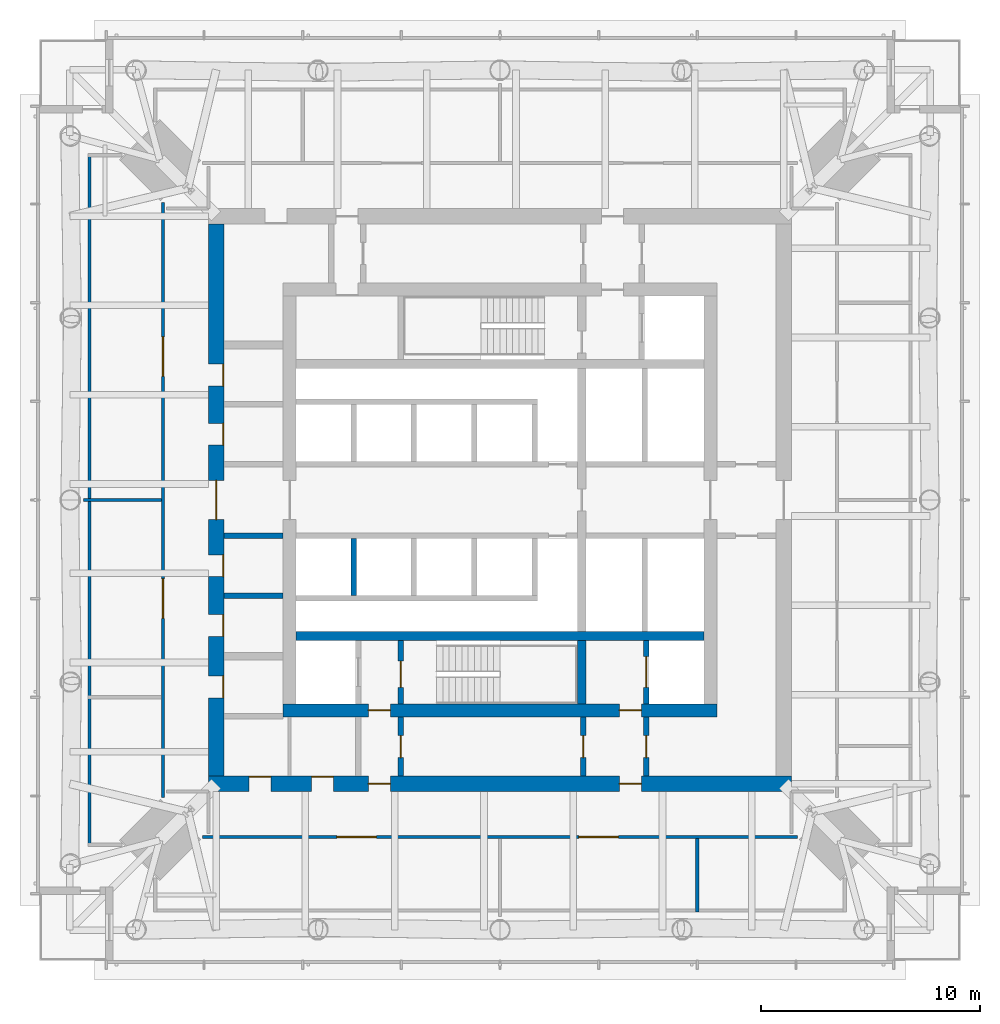
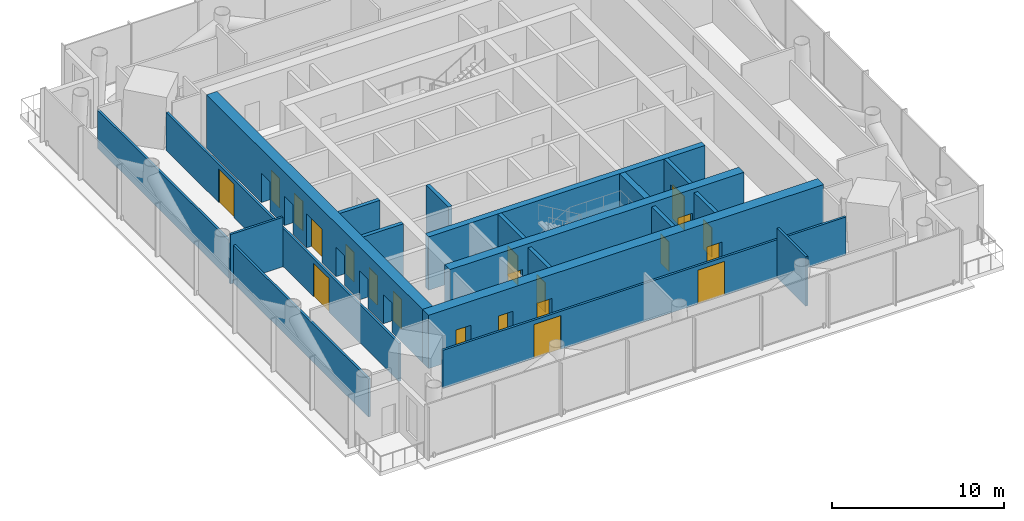
# One storey, part 5 of 13: 21 doors, 18 walls, 21 openings.
"""IFC4 building model written with IfcOpenShell, lengths in metres."""

from ifc_helpers import new_model, si_unit, direction, frame, frame_2d, origin, place, context, subcontext, project, spatial, rectangle, extrude, material, layer, layer_set, type_object, element, fill, save


model = new_model("IFC4")

# Units and contexts
model_context = context("Model", 3, precision=1e-05, world=origin(), true_north=direction((0.0, 1.0)))
body_context = subcontext(model_context, "Body", "Model", "MODEL_VIEW")
ifc_project = project(units=[si_unit("LENGTHUNIT", "METRE"), si_unit("AREAUNIT", "SQUARE_METRE"), si_unit("VOLUMEUNIT", "CUBIC_METRE"), si_unit("PLANEANGLEUNIT", "RADIAN"), si_unit("MASSUNIT", "GRAM", prefix="KILO")], contexts=[model_context])

# Site, building, storey
site_placement = place(None, origin())
site = spatial("IfcSite", under=ifc_project, at=site_placement, CompositionType="ELEMENT")
building_placement = place(site_placement, origin())
building = spatial("IfcBuilding", under=site, at=building_placement, Name="Ostroluk Exchange", CompositionType="ELEMENT")
storey_placement = place(building_placement, frame((0.0, 0.0, 157.800048828125)))
storey = spatial("IfcBuildingStorey", under=building, at=storey_placement, Name="L40", CompositionType="ELEMENT", Elevation=157.800048828125)

# Wall
ifc_material_1 = material(Name="Concrete blockwork", Category="masonry")
ifc_layer_1 = layer(ifc_material_1, 0.14990234375)
ifc_layer_set_1 = layer_set([ifc_layer_1], Name="Blockwork plant room wall 150")
wall_type_1 = type_object("IfcWallType", Name="Blockwork plant room wall 150", PredefinedType="SOLIDWALL", material=ifc_layer_set_1)
wall_1_placement = place(storey_placement, frame((29.550048828125, 46.0, 0.0), z_axis=(0.0, 0.0, 1.0), x_axis=(-1.0, 0.0, 0.0)))
element("IfcWall", 1, at=wall_1_placement, inside=storey, type_object=wall_type_1, Name="Plant room wall", PredefinedType="SOLIDWALL", context=body_context, shape_type="SweptSolid", body=[
    extrude(rectangle(XDim=3.56005859375, YDim=0.14990234375, at=frame_2d((1.780029296875, 0.0))), origin(), (0.0, 0.0, 1.0), 3.52001953125),
])

# Wall, openings, doors
wall_2_placement = place(storey_placement, frame((29.625, 59.568603515625, 0.0), z_axis=(0.0, 0.0, 1.0), x_axis=(0.0, -1.0, 0.0)))
wall_2 = element("IfcWall", 2, at=wall_2_placement, inside=storey, type_object=wall_type_1, Name="Plant room wall", PredefinedType="SOLIDWALL", context=body_context, shape_type="SweptSolid", body=[
    extrude(rectangle(XDim=27.13720703125, YDim=0.14990234375, at=frame_2d((13.568603515625, 0.0))), origin(), (0.0, 0.0, 1.0), 2.7060546875),
])
opening_1_placement = place(wall_2_placement, frame((6.131103515625, 0.0, 0.0)))
opening_1 = element("IfcOpeningElement", 3, at=opening_1_placement, cuts=wall_2, Name="Opening D-05", PredefinedType="OPENING", context=body_context, shape_type="SweptSolid", body=[
    extrude(rectangle(XDim=1.800048828125, YDim=2.39990234375, at=frame_2d((0.89990234375, 1.199951171875))), frame((0.0, 0.0849609375, 0.0), z_axis=(0.0, -1.0, 0.0), x_axis=(1.0, 0.0, 0.0)), (0.0, 0.0, 1.0), 0.169921875),
])
opening_2_placement = place(wall_2_placement, frame((17.168701171875, 0.0, 0.0)))
opening_2 = element("IfcOpeningElement", 4, at=opening_2_placement, cuts=wall_2, Name="Opening D-05", PredefinedType="OPENING", context=body_context, shape_type="SweptSolid", body=[
    extrude(rectangle(XDim=1.800048828125, YDim=2.39990234375, at=frame_2d((0.89990234375, 1.199951171875))), frame((0.0, 0.0849609375, 0.0), z_axis=(0.0, -1.0, 0.0), x_axis=(1.0, 0.0, 0.0)), (0.0, 0.0, 1.0), 0.169921875),
])
ifc_material_2 = material(Name="Steel", Category="steel")
door_type_1 = type_object("IfcDoorType", Name="Plant room double door EI 60 1800 x 2400", OperationType="DOUBLE_DOOR_SINGLE_SWING", PredefinedType="DOOR", material=ifc_material_2)
door_1_placement = place(opening_1_placement, origin())
door_1 = element("IfcDoor", 5, at=door_1_placement, inside=storey, type_object=door_type_1, Name="Electrical switch room door", OperationType="DOUBLE_DOOR_SINGLE_SWING", OverallHeight=2.39990234375, OverallWidth=1.800048828125, PredefinedType="DOOR", context=body_context, shape_type="SweptSolid", body=[
    extrude(rectangle(XDim=1.800048828125, YDim=2.39990234375, at=frame_2d((0.89990234375, 1.199951171875))), frame((0.0, 0.02490234375, 0.0), z_axis=(0.0, -1.0, 0.0), x_axis=(1.0, 0.0, 0.0)), (0.0, 0.0, 1.0), 0.050048828125),
])
fill(opening_1, door_1)
door_2_placement = place(opening_2_placement, origin())
door_2 = element("IfcDoor", 6, at=door_2_placement, inside=storey, type_object=door_type_1, Name="Transformer room door", OperationType="DOUBLE_DOOR_SINGLE_SWING", OverallHeight=2.39990234375, OverallWidth=1.800048828125, PredefinedType="DOOR", context=body_context, shape_type="SweptSolid", body=[
    extrude(rectangle(XDim=1.800048828125, YDim=2.39990234375, at=frame_2d((0.89990234375, 1.199951171875))), frame((0.0, 0.02490234375, 0.0), z_axis=(0.0, -1.0, 0.0), x_axis=(1.0, 0.0, 0.0)), (0.0, 0.0, 1.0), 0.050048828125),
])
fill(opening_2, door_2)

wall_3_placement = place(storey_placement, frame((31.431396484375, 30.625, 0.0), z_axis=(0.0, 0.0, 1.0), x_axis=(1.0, 0.0, 0.0)))
wall_3 = element("IfcWall", 7, at=wall_3_placement, inside=storey, type_object=wall_type_1, Name="Plant room wall", PredefinedType="SOLIDWALL", context=body_context, shape_type="SweptSolid", body=[
    extrude(rectangle(XDim=27.13720703125, YDim=0.14990234375, at=frame_2d((13.568603515625, 0.0))), origin(), (0.0, 0.0, 1.0), 2.7060546875),
])
opening_3_placement = place(wall_3_placement, frame((6.131103515625, 0.0, 0.0)))
opening_3 = element("IfcOpeningElement", 8, at=opening_3_placement, cuts=wall_3, Name="Opening D-05", PredefinedType="OPENING", context=body_context, shape_type="SweptSolid", body=[
    extrude(rectangle(XDim=1.800048828125, YDim=2.39990234375, at=frame_2d((0.89990234375, 1.199951171875))), frame((0.0, 0.0849609375, 0.0), z_axis=(0.0, -1.0, 0.0), x_axis=(1.0, 0.0, 0.0)), (0.0, 0.0, 1.0), 0.169921875),
])
opening_4_placement = place(wall_3_placement, frame((17.168701171875, 0.0, 0.0)))
opening_4 = element("IfcOpeningElement", 9, at=opening_4_placement, cuts=wall_3, Name="Opening D-05", PredefinedType="OPENING", context=body_context, shape_type="SweptSolid", body=[
    extrude(rectangle(XDim=1.800048828125, YDim=2.39990234375, at=frame_2d((0.89990234375, 1.199951171875))), frame((0.0, 0.0849609375, 0.0), z_axis=(0.0, -1.0, 0.0), x_axis=(1.0, 0.0, 0.0)), (0.0, 0.0, 1.0), 0.169921875),
])
door_3_placement = place(opening_3_placement, origin())
door_3 = element("IfcDoor", 10, at=door_3_placement, inside=storey, type_object=door_type_1, Name="Sprinkler pump room door", OperationType="DOUBLE_DOOR_SINGLE_SWING", OverallHeight=2.39990234375, OverallWidth=1.800048828125, PredefinedType="DOOR", context=body_context, shape_type="SweptSolid", body=[
    extrude(rectangle(XDim=1.800048828125, YDim=2.39990234375, at=frame_2d((0.89990234375, 1.199951171875))), frame((0.0, 0.02490234375, 0.0), z_axis=(0.0, -1.0, 0.0), x_axis=(1.0, 0.0, 0.0)), (0.0, 0.0, 1.0), 0.050048828125),
])
fill(opening_3, door_3)
door_4_placement = place(opening_4_placement, origin())
door_4 = element("IfcDoor", 11, at=door_4_placement, inside=storey, type_object=door_type_1, Name="Chiller plant room door", OperationType="DOUBLE_DOOR_SINGLE_SWING", OverallHeight=2.39990234375, OverallWidth=1.800048828125, PredefinedType="DOOR", context=body_context, shape_type="SweptSolid", body=[
    extrude(rectangle(XDim=1.800048828125, YDim=2.39990234375, at=frame_2d((0.89990234375, 1.199951171875))), frame((0.0, 0.02490234375, 0.0), z_axis=(0.0, -1.0, 0.0), x_axis=(1.0, 0.0, 0.0)), (0.0, 0.0, 1.0), 0.050048828125),
])
fill(opening_4, door_4)

# Wall
wall_4_placement = place(storey_placement, frame((54.0, 30.550048828125, 0.0), z_axis=(0.0, 0.0, 1.0), x_axis=(0.0, -1.0, 0.0)))
element("IfcWall", 12, at=wall_4_placement, inside=storey, type_object=wall_type_1, Name="Plant room wall", PredefinedType="SOLIDWALL", context=body_context, shape_type="SweptSolid", body=[
    extrude(rectangle(XDim=3.35009765625, YDim=0.14990234375, at=frame_2d((1.675048828125, 0.0))), origin(), (0.0, 0.0, 1.0), 3.52001953125),
])

# Wall, opening, door
ifc_material_3 = material(Name="Concrete blockwork", Category="masonry")
ifc_layer_2 = layer(ifc_material_3, 0.25)
ifc_layer_set_2 = layer_set([ifc_layer_2], Name="Blockwork stair enclosure wall 250")
wall_type_2 = type_object("IfcWallType", Name="Blockwork stair enclosure wall 250", PredefinedType="SOLIDWALL", material=ifc_layer_set_2)
wall_5_placement = place(storey_placement, frame((40.47509765625, 33.39990234375, 0.0), z_axis=(0.0, 0.0, 1.0), x_axis=(0.0, 1.0, 0.0)))
wall_5 = element("IfcWall", 13, at=wall_5_placement, inside=storey, type_object=wall_type_2, Name="Fire lobby enclosure wall", PredefinedType="SOLIDWALL", context=body_context, shape_type="SweptSolid", body=[
    extrude(rectangle(XDim=2.7001953125, YDim=0.25, at=frame_2d((1.35009765625, 0.0))), origin(), (0.0, 0.0, 1.0), 3.52001953125),
])
opening_5_placement = place(wall_5_placement, frame((0.85009765625, 0.0, 0.0)))
opening_5 = element("IfcOpeningElement", 14, at=opening_5_placement, cuts=wall_5, Name="Opening FD60", PredefinedType="OPENING", context=body_context, shape_type="SweptSolid", body=[
    extrude(rectangle(XDim=1.0, YDim=2.10009765625, at=frame_2d((0.5, 1.050048828125))), frame((0.0, 0.135009765625, 0.0), z_axis=(0.0, -1.0, 0.0), x_axis=(1.0, 0.0, 0.0)), (0.0, 0.0, 1.0), 0.27001953125),
])
ifc_material_4 = material(Name="Steel", Category="steel")
door_type_2 = type_object("IfcDoorType", Name="Fire door EI 60 1000 x 2100", OperationType="SINGLE_SWING_LEFT", PredefinedType="DOOR", material=ifc_material_4)
door_5_placement = place(opening_5_placement, origin())
door_5 = element("IfcDoor", 15, at=door_5_placement, inside=storey, type_object=door_type_2, Name="Core link door", OperationType="SINGLE_SWING_LEFT", OverallHeight=2.10009765625, OverallWidth=1.0, PredefinedType="DOOR", context=body_context, shape_type="SweptSolid", body=[
    extrude(rectangle(XDim=1.0, YDim=2.10009765625, at=frame_2d((0.5, 1.050048828125))), frame((0.0, 0.02490234375, 0.0), z_axis=(0.0, -1.0, 0.0), x_axis=(1.0, 0.0, 0.0)), (0.0, 0.0, 1.0), 0.050048828125),
])
fill(opening_5, door_5)

wall_6_placement = place(storey_placement, frame((48.804931640625, 33.39990234375, 0.0), z_axis=(0.0, 0.0, 1.0), x_axis=(0.0, 1.0, 0.0)))
wall_6 = element("IfcWall", 16, at=wall_6_placement, inside=storey, type_object=wall_type_2, Name="Service lobby enclosure wall", PredefinedType="SOLIDWALL", context=body_context, shape_type="SweptSolid", body=[
    extrude(rectangle(XDim=2.7001953125, YDim=0.25, at=frame_2d((1.35009765625, 0.0))), origin(), (0.0, 0.0, 1.0), 3.52001953125),
])
opening_6_placement = place(wall_6_placement, frame((0.85009765625, 0.0, 0.0)))
opening_6 = element("IfcOpeningElement", 17, at=opening_6_placement, cuts=wall_6, Name="Opening FD60", PredefinedType="OPENING", context=body_context, shape_type="SweptSolid", body=[
    extrude(rectangle(XDim=1.0, YDim=2.10009765625, at=frame_2d((0.5, 1.050048828125))), frame((0.0, 0.135009765625, 0.0), z_axis=(0.0, -1.0, 0.0), x_axis=(1.0, 0.0, 0.0)), (0.0, 0.0, 1.0), 0.27001953125),
])
door_6_placement = place(opening_6_placement, origin())
door_6 = element("IfcDoor", 18, at=door_6_placement, inside=storey, type_object=door_type_2, Name="Core link door", OperationType="SINGLE_SWING_LEFT", OverallHeight=2.10009765625, OverallWidth=1.0, PredefinedType="DOOR", context=body_context, shape_type="SweptSolid", body=[
    extrude(rectangle(XDim=1.0, YDim=2.10009765625, at=frame_2d((0.5, 1.050048828125))), frame((0.0, 0.02490234375, 0.0), z_axis=(0.0, -1.0, 0.0), x_axis=(1.0, 0.0, 0.0)), (0.0, 0.0, 1.0), 0.050048828125),
])
fill(opening_6, door_6)

wall_7_placement = place(storey_placement, frame((51.675048828125, 33.39990234375, 0.0), z_axis=(0.0, 0.0, 1.0), x_axis=(0.0, 1.0, 0.0)))
wall_7 = element("IfcWall", 19, at=wall_7_placement, inside=storey, type_object=wall_type_2, Name="Service lobby enclosure wall", PredefinedType="SOLIDWALL", context=body_context, shape_type="SweptSolid", body=[
    extrude(rectangle(XDim=2.7001953125, YDim=0.25, at=frame_2d((1.35009765625, 0.0))), origin(), (0.0, 0.0, 1.0), 3.52001953125),
])
opening_7_placement = place(wall_7_placement, frame((0.85009765625, 0.0, 0.0)))
opening_7 = element("IfcOpeningElement", 20, at=opening_7_placement, cuts=wall_7, Name="Opening FD60", PredefinedType="OPENING", context=body_context, shape_type="SweptSolid", body=[
    extrude(rectangle(XDim=1.0, YDim=2.10009765625, at=frame_2d((0.5, 1.050048828125))), frame((0.0, 0.135009765625, 0.0), z_axis=(0.0, -1.0, 0.0), x_axis=(1.0, 0.0, 0.0)), (0.0, 0.0, 1.0), 0.27001953125),
])
door_7_placement = place(opening_7_placement, origin())
door_7 = element("IfcDoor", 21, at=door_7_placement, inside=storey, type_object=door_type_2, Name="Core link door", OperationType="SINGLE_SWING_LEFT", OverallHeight=2.10009765625, OverallWidth=1.0, PredefinedType="DOOR", context=body_context, shape_type="SweptSolid", body=[
    extrude(rectangle(XDim=1.0, YDim=2.10009765625, at=frame_2d((0.5, 1.050048828125))), frame((0.0, 0.02490234375, 0.0), z_axis=(0.0, -1.0, 0.0), x_axis=(1.0, 0.0, 0.0)), (0.0, 0.0, 1.0), 0.050048828125),
])
fill(opening_7, door_7)

# Walls
ifc_material_5 = material(Name="Concrete C50/60", Category="concrete")
ifc_layer_3 = layer(ifc_material_5, 0.39990234375)
ifc_layer_set_3 = layer_set([ifc_layer_3], Name="Core cross wall 400 C50/60")
wall_type_3 = type_object("IfcWallType", Name="Core cross wall 400 C50/60", PredefinedType="SHEAR", material=ifc_layer_set_3)
wall_8_placement = place(storey_placement, frame((35.699951171875, 39.800048828125, 0.0), z_axis=(0.0, 0.0, 1.0), x_axis=(1.0, 0.0, 0.0)))
element("IfcWall", 22, at=wall_8_placement, inside=storey, type_object=wall_type_3, Name="T1 core wall XS", PredefinedType="SHEAR", context=body_context, shape_type="SweptSolid", body=[
    extrude(rectangle(XDim=18.60009765625, YDim=0.39990234375, at=frame_2d((9.300048828125, 0.0))), origin(), (0.0, 0.0, 1.0), 3.800048828125),
])
wall_9_placement = place(storey_placement, frame((48.72998046875, 36.699951171875, 0.0), z_axis=(0.0, 0.0, 1.0), x_axis=(0.0, 1.0, 0.0)))
element("IfcWall", 23, at=wall_9_placement, inside=storey, type_object=wall_type_3, Name="T1 core wall YE1", PredefinedType="SHEAR", context=body_context, shape_type="SweptSolid", body=[
    extrude(rectangle(XDim=2.900146484375, YDim=0.39990234375, at=frame_2d((1.4501953125, 0.0))), origin(), (0.0, 0.0, 1.0), 3.800048828125),
])

# Wall, opening, door
ifc_material_6 = material(Name="Concrete C40/50", Category="concrete")
ifc_layer_4 = layer(ifc_material_6, 0.25)
ifc_layer_set_4 = layer_set([ifc_layer_4], Name="Core shaft wall 250")
wall_type_4 = type_object("IfcWallType", Name="Core shaft wall 250", PredefinedType="SHEAR", material=ifc_layer_set_4)
wall_10_placement = place(storey_placement, frame((40.47509765625, 36.699951171875, 0.0), z_axis=(0.0, 0.0, 1.0), x_axis=(0.0, 1.0, 0.0)))
wall_10 = element("IfcWall", 24, at=wall_10_placement, inside=storey, type_object=wall_type_4, Name="Stair shaft wall", PredefinedType="SHEAR", context=body_context, shape_type="SweptSolid", body=[
    extrude(rectangle(XDim=2.900146484375, YDim=0.25, at=frame_2d((1.4501953125, 0.0))), origin(), (0.0, 0.0, 1.0), 3.800048828125),
])
opening_8_placement = place(wall_10_placement, frame((0.75, 0.0, 0.0)))
opening_8 = element("IfcOpeningElement", 25, at=opening_8_placement, cuts=wall_10, Name="Opening FD60S", PredefinedType="OPENING", context=body_context, shape_type="SweptSolid", body=[
    extrude(rectangle(XDim=1.199951171875, YDim=2.10009765625, at=frame_2d((0.60009765625, 1.050048828125))), frame((0.0, 0.135009765625, 0.0), z_axis=(0.0, -1.0, 0.0), x_axis=(1.0, 0.0, 0.0)), (0.0, 0.0, 1.0), 0.27001953125),
])
ifc_material_7 = material(Name="Steel", Category="steel")
door_type_3 = type_object("IfcDoorType", Name="Stair door EI 60 1200 x 2100", OperationType="SINGLE_SWING_LEFT", PredefinedType="DOOR", material=ifc_material_7)
door_8_placement = place(opening_8_placement, origin())
door_8 = element("IfcDoor", 26, at=door_8_placement, inside=storey, type_object=door_type_3, Name="Stair T1-S1 door", OperationType="SINGLE_SWING_LEFT", OverallHeight=2.10009765625, OverallWidth=1.199951171875, PredefinedType="DOOR", context=body_context, shape_type="SweptSolid", body=[
    extrude(rectangle(XDim=1.199951171875, YDim=2.10009765625, at=frame_2d((0.60009765625, 1.050048828125))), frame((0.0, 0.02490234375, 0.0), z_axis=(0.0, -1.0, 0.0), x_axis=(1.0, 0.0, 0.0)), (0.0, 0.0, 1.0), 0.050048828125),
])
fill(opening_8, door_8)

wall_11_placement = place(storey_placement, frame((51.675048828125, 36.699951171875, 0.0), z_axis=(0.0, 0.0, 1.0), x_axis=(0.0, 1.0, 0.0)))
wall_11 = element("IfcWall", 27, at=wall_11_placement, inside=storey, type_object=wall_type_4, Name="Service lift shaft wall", PredefinedType="SHEAR", context=body_context, shape_type="SweptSolid", body=[
    extrude(rectangle(XDim=2.900146484375, YDim=0.25, at=frame_2d((1.4501953125, 0.0))), origin(), (0.0, 0.0, 1.0), 3.800048828125),
])
opening_9_placement = place(wall_11_placement, frame((0.75, 0.0, 0.0)))
opening_9 = element("IfcOpeningElement", 28, at=opening_9_placement, cuts=wall_11, Name="Opening LD3", PredefinedType="OPENING", context=body_context, shape_type="SweptSolid", body=[
    extrude(rectangle(XDim=1.39990234375, YDim=2.39990234375, at=frame_2d((0.699951171875, 1.199951171875))), frame((0.0, 0.135009765625, 0.0), z_axis=(0.0, -1.0, 0.0), x_axis=(1.0, 0.0, 0.0)), (0.0, 0.0, 1.0), 0.27001953125),
])
ifc_material_8 = material(Name="Stainless steel", Category="steel")
door_type_4 = type_object("IfcDoorType", Name="Goods lift landing door E 60 1400 x 2400", OperationType="DOUBLE_DOOR_SLIDING", PredefinedType="DOOR", material=ifc_material_8)
door_9_placement = place(opening_9_placement, origin())
door_9 = element("IfcDoor", 29, at=door_9_placement, inside=storey, type_object=door_type_4, Name="Lift SL1 landing door", OperationType="DOUBLE_DOOR_SLIDING", OverallHeight=2.39990234375, OverallWidth=1.39990234375, PredefinedType="DOOR", context=body_context, shape_type="SweptSolid", body=[
    extrude(rectangle(XDim=1.39990234375, YDim=2.39990234375, at=frame_2d((0.699951171875, 1.199951171875))), frame((0.0, 0.02490234375, 0.0), z_axis=(0.0, -1.0, 0.0), x_axis=(1.0, 0.0, 0.0)), (0.0, 0.0, 1.0), 0.050048828125),
])
fill(opening_9, door_9)

# Walls
wall_12_placement = place(storey_placement, frame((38.324951171875, 44.25, 0.0), z_axis=(0.0, 0.0, 1.0), x_axis=(0.0, -1.0, 0.0)))
element("IfcWall", 30, at=wall_12_placement, inside=storey, type_object=wall_type_4, Name="Lift shaft wall", PredefinedType="SHEAR", context=body_context, shape_type="SweptSolid", body=[
    extrude(rectangle(XDim=2.60009765625, YDim=0.25, at=frame_2d((1.300048828125, 0.0))), origin(), (0.0, 0.0, 1.0), 3.800048828125),
])
for number, where, z_axis, x_axis, name in (
    (31, (32.39990234375, 41.625, 0.0), (0.0, 0.0, 1.0), (1.0, 0.0, 0.0), "Lift shaft wall"),
    (32, (32.39990234375, 44.375, 0.0), (0.0, 0.0, 1.0), (1.0, 0.0, 0.0), "Lift shaft wall"),
):
    element("IfcWall", number, at=place(storey_placement, frame(where, z_axis=z_axis, x_axis=x_axis)), inside=storey, type_object=wall_type_4, Name=name, PredefinedType="SHEAR", context=body_context, shape_type="SweptSolid", body=[
        extrude(rectangle(XDim=2.7001953125, YDim=0.25, at=frame_2d((1.35009765625, 0.0))), origin(), (0.0, 0.0, 1.0), 3.800048828125),
    ])

# Wall, openings, doors
ifc_material_9 = material(Name="Concrete C50/60", Category="concrete")
ifc_layer_5 = layer(ifc_material_9, 0.60009765625)
ifc_layer_set_5 = layer_set([ifc_layer_5], Name="Core wall 600 C50/60")
wall_type_5 = type_object("IfcWallType", Name="Core wall 600 C50/60", PredefinedType="SHEAR", material=ifc_layer_set_5)
wall_13_placement = place(storey_placement, frame((35.10009765625, 36.39990234375, 0.0), z_axis=(0.0, 0.0, 1.0), x_axis=(1.0, 0.0, 0.0)))
wall_13 = element("IfcWall", 33, at=wall_13_placement, inside=storey, type_object=wall_type_5, Name="T1 core wall S", PredefinedType="SHEAR", context=body_context, shape_type="SweptSolid", body=[
    extrude(rectangle(XDim=19.7998046875, YDim=0.60009765625, at=frame_2d((9.89990234375, 0.0))), origin(), (0.0, 0.0, 1.0), 3.800048828125),
])
opening_10_placement = place(wall_13_placement, frame((3.89990234375, 0.0, 0.0)))
opening_10 = element("IfcOpeningElement", 34, at=opening_10_placement, cuts=wall_13, Name="Opening FD60", PredefinedType="OPENING", context=body_context, shape_type="SweptSolid", body=[
    extrude(rectangle(XDim=1.0, YDim=2.10009765625, at=frame_2d((0.5, 1.050048828125))), frame((0.0, 0.31005859375, 0.0), z_axis=(0.0, -1.0, 0.0), x_axis=(1.0, 0.0, 0.0)), (0.0, 0.0, 1.0), 0.6201171875),
])
opening_11_placement = place(wall_13_placement, frame((15.35009765625, 0.0, 0.0)))
opening_11 = element("IfcOpeningElement", 35, at=opening_11_placement, cuts=wall_13, Name="Opening FD60", PredefinedType="OPENING", context=body_context, shape_type="SweptSolid", body=[
    extrude(rectangle(XDim=1.0, YDim=2.10009765625, at=frame_2d((0.5, 1.050048828125))), frame((0.0, 0.31005859375, 0.0), z_axis=(0.0, -1.0, 0.0), x_axis=(1.0, 0.0, 0.0)), (0.0, 0.0, 1.0), 0.6201171875),
])
door_10_placement = place(opening_10_placement, origin())
door_10 = element("IfcDoor", 36, at=door_10_placement, inside=storey, type_object=door_type_2, Name="Firefighting lobby door", OperationType="SINGLE_SWING_LEFT", OverallHeight=2.10009765625, OverallWidth=1.0, PredefinedType="DOOR", context=body_context, shape_type="SweptSolid", body=[
    extrude(rectangle(XDim=1.0, YDim=2.10009765625, at=frame_2d((0.5, 1.050048828125))), frame((0.0, 0.02490234375, 0.0), z_axis=(0.0, -1.0, 0.0), x_axis=(1.0, 0.0, 0.0)), (0.0, 0.0, 1.0), 0.050048828125),
])
fill(opening_10, door_10)
door_11_placement = place(opening_11_placement, origin())
door_11 = element("IfcDoor", 37, at=door_11_placement, inside=storey, type_object=door_type_2, Name="Service lobby door", OperationType="SINGLE_SWING_RIGHT", OverallHeight=2.10009765625, OverallWidth=1.0, PredefinedType="DOOR", context=body_context, shape_type="SweptSolid", body=[
    extrude(rectangle(XDim=1.0, YDim=2.10009765625, at=frame_2d((0.5, 1.050048828125))), frame((0.0, 0.02490234375, 0.0), z_axis=(0.0, -1.0, 0.0), x_axis=(1.0, 0.0, 0.0)), (0.0, 0.0, 1.0), 0.050048828125),
])
fill(opening_11, door_11)

ifc_material_10 = material(Name="Concrete C50/60", Category="concrete")
ifc_layer_6 = layer(ifc_material_10, 0.699951171875)
ifc_layer_set_6 = layer_set([ifc_layer_6], Name="Core wall 700 C50/60")
wall_type_6 = type_object("IfcWallType", Name="Core wall 700 C50/60", PredefinedType="SHEAR", material=ifc_layer_set_6)
wall_14_placement = place(storey_placement, frame((31.699951171875, 33.050048828125, 0.0), z_axis=(0.0, 0.0, 1.0), x_axis=(1.0, 0.0, 0.0)))
wall_14 = element("IfcWall", 38, at=wall_14_placement, inside=storey, type_object=wall_type_6, Name="T1 core wall RS", PredefinedType="SHEAR", context=body_context, shape_type="SweptSolid", body=[
    extrude(rectangle(XDim=26.60009765625, YDim=0.699951171875, at=frame_2d((13.300048828125, 0.0))), origin(), (0.0, 0.0, 1.0), 3.800048828125),
])
opening_12_placement = place(wall_14_placement, frame((7.300048828125, 0.0, 0.0)))
opening_12 = element("IfcOpeningElement", 39, at=opening_12_placement, cuts=wall_14, Name="Opening FD60", PredefinedType="OPENING", context=body_context, shape_type="SweptSolid", body=[
    extrude(rectangle(XDim=1.0, YDim=2.10009765625, at=frame_2d((0.5, 1.050048828125))), frame((0.0, 0.35986328125, 0.0), z_axis=(0.0, -1.0, 0.0), x_axis=(1.0, 0.0, 0.0)), (0.0, 0.0, 1.0), 0.719970703125),
])
opening_13_placement = place(wall_14_placement, frame((18.75, 0.0, 0.0)))
opening_13 = element("IfcOpeningElement", 40, at=opening_13_placement, cuts=wall_14, Name="Opening FD60", PredefinedType="OPENING", context=body_context, shape_type="SweptSolid", body=[
    extrude(rectangle(XDim=1.0, YDim=2.10009765625, at=frame_2d((0.5, 1.050048828125))), frame((0.0, 0.35986328125, 0.0), z_axis=(0.0, -1.0, 0.0), x_axis=(1.0, 0.0, 0.0)), (0.0, 0.0, 1.0), 0.719970703125),
])
opening_14_placement = place(wall_14_placement, frame((1.85009765625, 0.0, 0.0)))
opening_14 = element("IfcOpeningElement", 41, at=opening_14_placement, cuts=wall_14, Name="Opening FD60", PredefinedType="OPENING", context=body_context, shape_type="SweptSolid", body=[
    extrude(rectangle(XDim=1.0, YDim=2.10009765625, at=frame_2d((0.5, 1.050048828125))), frame((0.0, 0.35986328125, 0.0), z_axis=(0.0, -1.0, 0.0), x_axis=(1.0, 0.0, 0.0)), (0.0, 0.0, 1.0), 0.719970703125),
])
opening_15_placement = place(wall_14_placement, frame((4.699951171875, 0.0, 0.0)))
opening_15 = element("IfcOpeningElement", 42, at=opening_15_placement, cuts=wall_14, Name="Opening FD60", PredefinedType="OPENING", context=body_context, shape_type="SweptSolid", body=[
    extrude(rectangle(XDim=1.0, YDim=2.10009765625, at=frame_2d((0.5, 1.050048828125))), frame((0.0, 0.35986328125, 0.0), z_axis=(0.0, -1.0, 0.0), x_axis=(1.0, 0.0, 0.0)), (0.0, 0.0, 1.0), 0.719970703125),
])
door_12_placement = place(opening_12_placement, origin())
door_12 = element("IfcDoor", 43, at=door_12_placement, inside=storey, type_object=door_type_2, Name="Firefighting lobby door", OperationType="SINGLE_SWING_LEFT", OverallHeight=2.10009765625, OverallWidth=1.0, PredefinedType="DOOR", context=body_context, shape_type="SweptSolid", body=[
    extrude(rectangle(XDim=1.0, YDim=2.10009765625, at=frame_2d((0.5, 1.050048828125))), frame((0.0, 0.02490234375, 0.0), z_axis=(0.0, -1.0, 0.0), x_axis=(1.0, 0.0, 0.0)), (0.0, 0.0, 1.0), 0.050048828125),
])
fill(opening_12, door_12)
door_13_placement = place(opening_13_placement, origin())
door_13 = element("IfcDoor", 44, at=door_13_placement, inside=storey, type_object=door_type_2, Name="Service lobby door", OperationType="SINGLE_SWING_RIGHT", OverallHeight=2.10009765625, OverallWidth=1.0, PredefinedType="DOOR", context=body_context, shape_type="SweptSolid", body=[
    extrude(rectangle(XDim=1.0, YDim=2.10009765625, at=frame_2d((0.5, 1.050048828125))), frame((0.0, 0.02490234375, 0.0), z_axis=(0.0, -1.0, 0.0), x_axis=(1.0, 0.0, 0.0)), (0.0, 0.0, 1.0), 0.050048828125),
])
fill(opening_13, door_13)
door_14_placement = place(opening_14_placement, origin())
door_14 = element("IfcDoor", 45, at=door_14_placement, inside=storey, type_object=door_type_2, Name="Plant control room door", OperationType="SINGLE_SWING_LEFT", OverallHeight=2.10009765625, OverallWidth=1.0, PredefinedType="DOOR", context=body_context, shape_type="SweptSolid", body=[
    extrude(rectangle(XDim=1.0, YDim=2.10009765625, at=frame_2d((0.5, 1.050048828125))), frame((0.0, 0.33984375, 0.0), z_axis=(0.0, -1.0, 0.0), x_axis=(1.0, 0.0, 0.0)), (0.0, 0.0, 1.0), 0.050048828125),
])
fill(opening_14, door_14)
door_15_placement = place(opening_15_placement, origin())
door_15 = element("IfcDoor", 46, at=door_15_placement, inside=storey, type_object=door_type_2, Name="Plant control room door", OperationType="SINGLE_SWING_LEFT", OverallHeight=2.10009765625, OverallWidth=1.0, PredefinedType="DOOR", context=body_context, shape_type="SweptSolid", body=[
    extrude(rectangle(XDim=1.0, YDim=2.10009765625, at=frame_2d((0.5, 1.050048828125))), frame((0.0, 0.33984375, 0.0), z_axis=(0.0, -1.0, 0.0), x_axis=(1.0, 0.0, 0.0)), (0.0, 0.0, 1.0), 0.050048828125),
])
fill(opening_15, door_15)

wall_15_placement = place(storey_placement, frame((32.050048828125, 33.39990234375, 0.0), z_axis=(0.0, 0.0, 1.0), x_axis=(0.0, 1.0, 0.0)))
wall_15 = element("IfcWall", 47, at=wall_15_placement, inside=storey, type_object=wall_type_6, Name="T1 core wall RW", PredefinedType="SHEAR", context=body_context, shape_type="SweptSolid", body=[
    extrude(rectangle(XDim=25.2001953125, YDim=0.699951171875, at=frame_2d((12.60009765625, 0.0))), origin(), (0.0, 0.0, 1.0), 3.800048828125),
])
opening_16_placement = place(wall_15_placement, frame((11.699951171875, 0.0, 0.0)))
opening_16 = element("IfcOpeningElement", 48, at=opening_16_placement, cuts=wall_15, Name="Opening FD30D", PredefinedType="OPENING", context=body_context, shape_type="SweptSolid", body=[
    extrude(rectangle(XDim=1.800048828125, YDim=2.39990234375, at=frame_2d((0.89990234375, 1.199951171875))), frame((0.0, 0.35986328125, 0.0), z_axis=(0.0, -1.0, 0.0), x_axis=(1.0, 0.0, 0.0)), (0.0, 0.0, 1.0), 0.719970703125),
])
opening_17_placement = place(wall_15_placement, frame((3.574951171875, 0.0, 0.0)))
opening_17 = element("IfcOpeningElement", 49, at=opening_17_placement, cuts=wall_15, Name="Opening FD60", PredefinedType="OPENING", context=body_context, shape_type="SweptSolid", body=[
    extrude(rectangle(XDim=1.0, YDim=2.10009765625, at=frame_2d((0.5, 1.050048828125))), frame((0.0, 0.35986328125, 0.0), z_axis=(0.0, -1.0, 0.0), x_axis=(1.0, 0.0, 0.0)), (0.0, 0.0, 1.0), 0.719970703125),
])
opening_18_placement = place(wall_15_placement, frame((6.375, 0.0, 0.0)))
opening_18 = element("IfcOpeningElement", 50, at=opening_18_placement, cuts=wall_15, Name="Opening FD60", PredefinedType="OPENING", context=body_context, shape_type="SweptSolid", body=[
    extrude(rectangle(XDim=1.0, YDim=2.10009765625, at=frame_2d((0.5, 1.050048828125))), frame((0.0, 0.35986328125, 0.0), z_axis=(0.0, -1.0, 0.0), x_axis=(1.0, 0.0, 0.0)), (0.0, 0.0, 1.0), 0.719970703125),
])
opening_19_placement = place(wall_15_placement, frame((9.10009765625, 0.0, 0.0)))
opening_19 = element("IfcOpeningElement", 51, at=opening_19_placement, cuts=wall_15, Name="Opening FD60", PredefinedType="OPENING", context=body_context, shape_type="SweptSolid", body=[
    extrude(rectangle(XDim=1.0, YDim=2.10009765625, at=frame_2d((0.5, 1.050048828125))), frame((0.0, 0.35986328125, 0.0), z_axis=(0.0, -1.0, 0.0), x_axis=(1.0, 0.0, 0.0)), (0.0, 0.0, 1.0), 0.719970703125),
])
opening_20_placement = place(wall_15_placement, frame((15.10009765625, 0.0, 0.0)))
opening_20 = element("IfcOpeningElement", 52, at=opening_20_placement, cuts=wall_15, Name="Opening FD60", PredefinedType="OPENING", context=body_context, shape_type="SweptSolid", body=[
    extrude(rectangle(XDim=1.0, YDim=2.10009765625, at=frame_2d((0.5, 1.050048828125))), frame((0.0, 0.35986328125, 0.0), z_axis=(0.0, -1.0, 0.0), x_axis=(1.0, 0.0, 0.0)), (0.0, 0.0, 1.0), 0.719970703125),
])
opening_21_placement = place(wall_15_placement, frame((17.800048828125, 0.0, 0.0)))
opening_21 = element("IfcOpeningElement", 53, at=opening_21_placement, cuts=wall_15, Name="Opening FD60", PredefinedType="OPENING", context=body_context, shape_type="SweptSolid", body=[
    extrude(rectangle(XDim=1.0, YDim=2.10009765625, at=frame_2d((0.5, 1.050048828125))), frame((0.0, 0.35986328125, 0.0), z_axis=(0.0, -1.0, 0.0), x_axis=(1.0, 0.0, 0.0)), (0.0, 0.0, 1.0), 0.719970703125),
])
door_16_placement = place(opening_17_placement, origin())
door_16 = element("IfcDoor", 54, at=door_16_placement, inside=storey, type_object=door_type_2, Name="Cleaner's store door", OperationType="SINGLE_SWING_LEFT", OverallHeight=2.10009765625, OverallWidth=1.0, PredefinedType="DOOR", context=body_context, shape_type="SweptSolid", body=[
    extrude(rectangle(XDim=1.0, YDim=2.10009765625, at=frame_2d((0.5, 1.050048828125))), frame((0.0, -0.2900390625, 0.0), z_axis=(0.0, -1.0, 0.0), x_axis=(1.0, 0.0, 0.0)), (0.0, 0.0, 1.0), 0.050048828125),
])
fill(opening_17, door_16)
door_17_placement = place(opening_18_placement, origin())
door_17 = element("IfcDoor", 55, at=door_17_placement, inside=storey, type_object=door_type_2, Name="Store door", OperationType="SINGLE_SWING_LEFT", OverallHeight=2.10009765625, OverallWidth=1.0, PredefinedType="DOOR", context=body_context, shape_type="SweptSolid", body=[
    extrude(rectangle(XDim=1.0, YDim=2.10009765625, at=frame_2d((0.5, 1.050048828125))), frame((0.0, -0.2900390625, 0.0), z_axis=(0.0, -1.0, 0.0), x_axis=(1.0, 0.0, 0.0)), (0.0, 0.0, 1.0), 0.050048828125),
])
fill(opening_18, door_17)
door_18_placement = place(opening_19_placement, origin())
door_18 = element("IfcDoor", 56, at=door_18_placement, inside=storey, type_object=door_type_2, Name="Cleaner's store door", OperationType="SINGLE_SWING_LEFT", OverallHeight=2.10009765625, OverallWidth=1.0, PredefinedType="DOOR", context=body_context, shape_type="SweptSolid", body=[
    extrude(rectangle(XDim=1.0, YDim=2.10009765625, at=frame_2d((0.5, 1.050048828125))), frame((0.0, -0.2900390625, 0.0), z_axis=(0.0, -1.0, 0.0), x_axis=(1.0, 0.0, 0.0)), (0.0, 0.0, 1.0), 0.050048828125),
])
fill(opening_19, door_18)
door_19_placement = place(opening_20_placement, origin())
door_19 = element("IfcDoor", 57, at=door_19_placement, inside=storey, type_object=door_type_2, Name="Store door", OperationType="SINGLE_SWING_RIGHT", OverallHeight=2.10009765625, OverallWidth=1.0, PredefinedType="DOOR", context=body_context, shape_type="SweptSolid", body=[
    extrude(rectangle(XDim=1.0, YDim=2.10009765625, at=frame_2d((0.5, 1.050048828125))), frame((0.0, -0.2900390625, 0.0), z_axis=(0.0, -1.0, 0.0), x_axis=(1.0, 0.0, 0.0)), (0.0, 0.0, 1.0), 0.050048828125),
])
fill(opening_20, door_19)
door_20_placement = place(opening_21_placement, origin())
door_20 = element("IfcDoor", 58, at=door_20_placement, inside=storey, type_object=door_type_2, Name="Cleaner's store door", OperationType="SINGLE_SWING_RIGHT", OverallHeight=2.10009765625, OverallWidth=1.0, PredefinedType="DOOR", context=body_context, shape_type="SweptSolid", body=[
    extrude(rectangle(XDim=1.0, YDim=2.10009765625, at=frame_2d((0.5, 1.050048828125))), frame((0.0, -0.2900390625, 0.0), z_axis=(0.0, -1.0, 0.0), x_axis=(1.0, 0.0, 0.0)), (0.0, 0.0, 1.0), 0.050048828125),
])
fill(opening_21, door_20)
ifc_material_11 = material(Name="Timber", Category="wood")
door_type_5 = type_object("IfcDoorType", Name="Lobby double door EI 30 1800 x 2400", OperationType="DOUBLE_DOOR_SINGLE_SWING", PredefinedType="DOOR", material=ifc_material_11)
door_21_placement = place(opening_16_placement, origin())
door_21 = element("IfcDoor", 59, at=door_21_placement, inside=storey, type_object=door_type_5, Name="Lift lobby doors", OperationType="DOUBLE_DOOR_SINGLE_SWING", OverallHeight=2.39990234375, OverallWidth=1.800048828125, PredefinedType="DOOR", context=body_context, shape_type="SweptSolid", body=[
    extrude(rectangle(XDim=1.800048828125, YDim=2.39990234375, at=frame_2d((0.89990234375, 1.199951171875))), frame((0.0, 0.02490234375, 0.0), z_axis=(0.0, -1.0, 0.0), x_axis=(1.0, 0.0, 0.0)), (0.0, 0.0, 1.0), 0.050048828125),
])
fill(opening_16, door_21)

# Wall
ifc_material_12 = material(Name="Gypsum plasterboard partition", Category="gypsum")
ifc_layer_7 = layer(ifc_material_12, 0.14990234375)
ifc_layer_set_7 = layer_set([ifc_layer_7], Name="Plasterboard partition 150")
wall_type_7 = type_object("IfcWallType", Name="Plasterboard partition 150", PredefinedType="PARTITIONING", material=ifc_layer_set_7)
wall_16_placement = place(storey_placement, frame((26.27490234375, 30.199951171875, 0.0), z_axis=(0.0, 0.0, 1.0), x_axis=(0.0, 1.0, 0.0)))
element("IfcWall", 60, at=wall_16_placement, inside=storey, type_object=wall_type_7, Name="Truss zone partition", PredefinedType="PARTITIONING", context=body_context, shape_type="SweptSolid", body=[
    extrude(rectangle(XDim=31.60009765625, YDim=0.14990234375, at=frame_2d((15.800048828125, 0.0))), origin(), (0.0, 0.0, 1.0), 2.7060546875),
])

save(model, "model.ifc")
